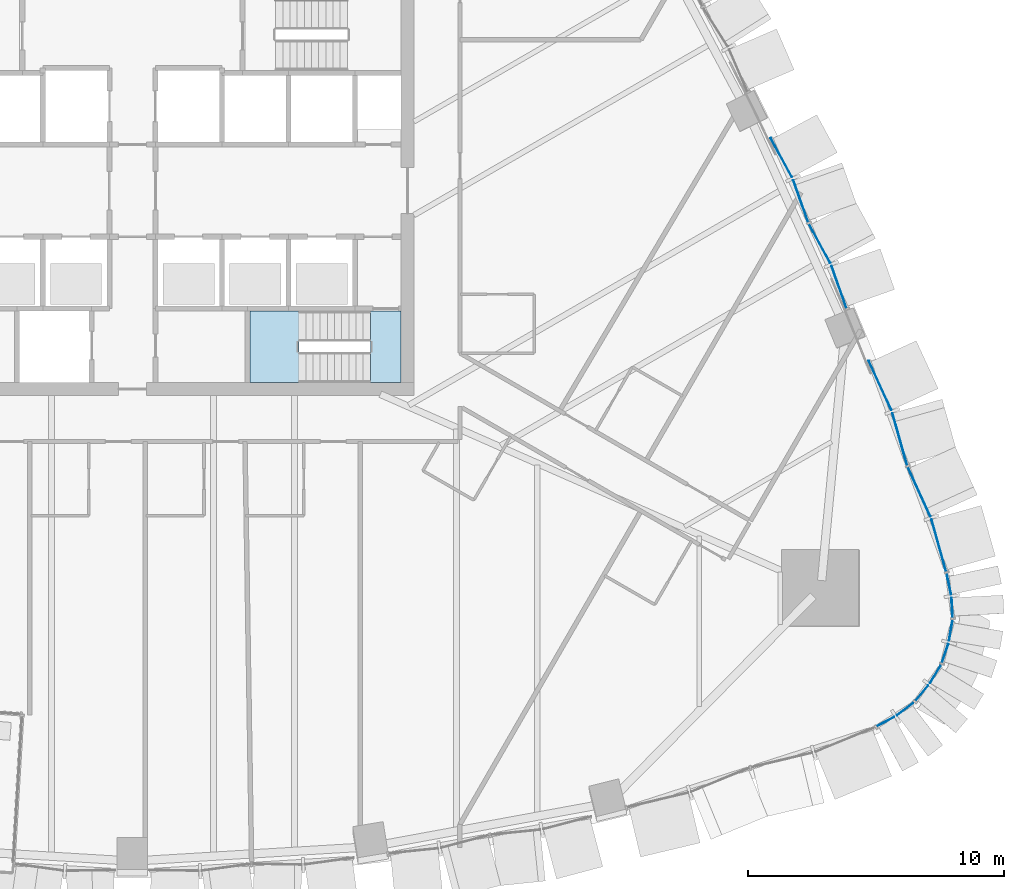
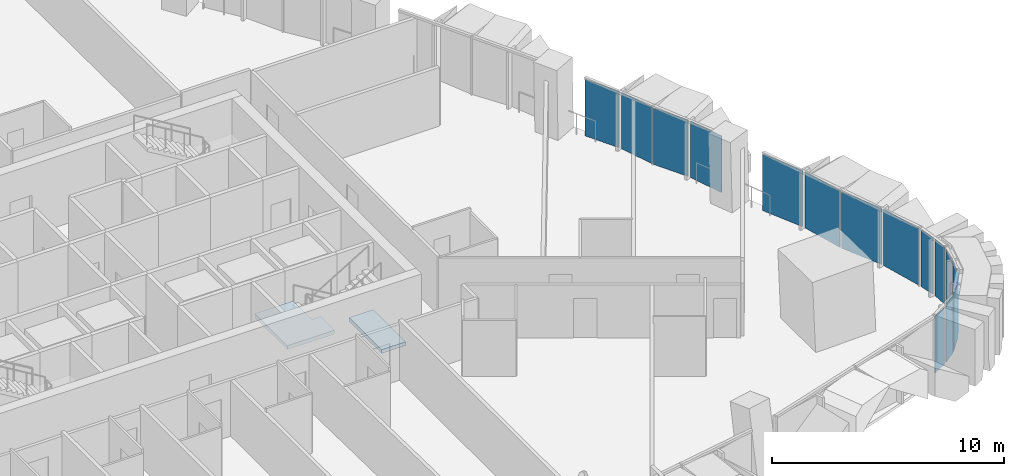
# One storey, part 11 of 24: 16 plates, 2 slabs, 7 elements without a shape of their own.
"""IFC4 building model written with IfcOpenShell, lengths in metres."""

from ifc_helpers import new_model, si_unit, direction, frame, origin, place, context, subcontext, project, spatial, polyline, outline, extrude, material, layer, layer_set, type_object, element, aggregate, save


model = new_model("IFC4")

# Units and contexts
model_context = context("Model", 3, precision=1e-05, world=origin(), true_north=direction((0.0, 1.0)))
body_context = subcontext(model_context, "Body", "Model", "MODEL_VIEW")
ifc_project = project(units=[si_unit("LENGTHUNIT", "METRE"), si_unit("AREAUNIT", "SQUARE_METRE"), si_unit("VOLUMEUNIT", "CUBIC_METRE"), si_unit("PLANEANGLEUNIT", "RADIAN"), si_unit("MASSUNIT", "GRAM", prefix="KILO")], contexts=[model_context])

# Site, building, storey
site_placement = place(None, origin())
site = spatial("IfcSite", under=ifc_project, at=site_placement, CompositionType="ELEMENT")
building_placement = place(site_placement, origin())
building = spatial("IfcBuilding", under=site, at=building_placement, Name="Sierra Prisma Convention Tower", CompositionType="ELEMENT")
storey_placement = place(building_placement, frame((0.0, 0.0, 59.10009765625)))
storey = spatial("IfcBuildingStorey", under=building, at=storey_placement, Name="L10", CompositionType="ELEMENT", Elevation=59.10009765625)

# Curtain wall, plates
ifc_material_1 = material(Name="Aluminium and glass curtain wall", Category="aluminium")
ifc_layer_1 = layer(ifc_material_1, 0.179931640625)
ifc_layer_set_1 = layer_set([ifc_layer_1], Name="CW-2 Faceted crystal curtain wall")
curtain_wall_type = type_object("IfcCurtainWallType", Name="CW-2 Faceted crystal curtain wall", PredefinedType="NOTDEFINED", material=ifc_layer_set_1)
curtain_wall_1_placement = place(storey_placement, origin())
curtain_wall_1 = element("IfcCurtainWall", 1, at=curtain_wall_1_placement, inside=storey, type_object=curtain_wall_type, Name="CW-2 SE1 L10", PredefinedType="NOTDEFINED")
ifc_material_2 = material(Name="Tinted glass bronze-grey IGU", Category="glass")
ifc_layer_2 = layer(ifc_material_2, 0.028076171875)
ifc_layer_set_2 = layer_set([ifc_layer_2], Name="CW-2 crystal pane")
plate_type = type_object("IfcPlateType", Name="CW-2 crystal pane", PredefinedType="CURTAIN_PANEL", material=ifc_layer_set_2)
plate_1_placement = place(storey_placement, frame((29.0869140625, -20.9443359375, 0.0), z_axis=(0.472247517857, -0.881465984527, 0.0), x_axis=(0.881465984527, 0.472247517857, 0.0)))
plate_1 = element("IfcPlate", 2, at=plate_1_placement, type_object=plate_type, Name="CW-2 pane SE1.1.1", PredefinedType="CURTAIN_PANEL", context=body_context, shape_type="SweptSolid", body=[
    extrude(outline(polyline([(0.0, 0.0), (0.7785658311517674, 0.0), (0.7785658311517674, 2.97998046875), (0.0, 2.97998046875), (0.0, 0.0)])), origin(), (0.0, 0.0, -1.0), 0.028076171875),
])
plate_2_placement = place(storey_placement, frame((30.502685546875, -20.0361328125, 0.0), z_axis=(0.604256074047, -0.796790183785, 0.0), x_axis=(-0.796790183785, -0.604256074047, 0.0)))
plate_2 = element("IfcPlate", 3, at=plate_2_placement, type_object=plate_type, Name="CW-2 pane SE1.1.2", PredefinedType="CURTAIN_PANEL", context=body_context, shape_type="SweptSolid", body=[
    extrude(outline(polyline([(0.0, 0.0), (0.7785755155488583, 0.0), (0.7785755155488583, -2.97998046875), (0.0, -2.97998046875), (0.0, 0.0)])), origin(), (0.0, 0.0, -1.0), 0.028076171875),
])
aggregate(curtain_wall_1, [plate_1, plate_2])

curtain_wall_2_placement = place(storey_placement, origin())
curtain_wall_2 = element("IfcCurtainWall", 4, at=curtain_wall_2_placement, inside=storey, type_object=curtain_wall_type, Name="CW-2 SE2 L10", PredefinedType="NOTDEFINED")
plate_3_placement = place(storey_placement, frame((30.6025390625, -19.94140625, 0.0), z_axis=(0.763600352148, -0.645689168408, 0.0), x_axis=(0.645689168408, 0.763600352148, 0.0)))
plate_3 = element("IfcPlate", 5, at=plate_3_placement, type_object=plate_type, Name="CW-2 pane SE2.1.1", PredefinedType="CURTAIN_PANEL", context=body_context, shape_type="SweptSolid", body=[
    extrude(outline(polyline([(0.0, 0.0), (0.7785255994219993, 0.0), (0.7785255994219993, 2.9799804687499996), (0.0, 2.9799804687499996), (0.0, 0.0)])), origin(), (0.0, 0.0, -1.0), 0.028076171875),
])
plate_4_placement = place(storey_placement, frame((31.584716796875, -18.575927734375, 0.0), z_axis=(0.855020902792, -0.5185935362, 0.0), x_axis=(-0.5185935362, -0.855020902792, 0.0)))
plate_4 = element("IfcPlate", 6, at=plate_4_placement, type_object=plate_type, Name="CW-2 pane SE2.1.2", PredefinedType="CURTAIN_PANEL", context=body_context, shape_type="SweptSolid", body=[
    extrude(outline(polyline([(0.0, 0.0), (0.7786610622043737, 0.0), (0.7786610622043737, -2.97998046875), (0.0, -2.97998046875), (0.0, 0.0)])), origin(), (0.0, 0.0, -1.0), 0.028076171875),
])
aggregate(curtain_wall_2, [plate_3, plate_4])

curtain_wall_3_placement = place(storey_placement, origin())
curtain_wall_3 = element("IfcCurtainWall", 7, at=curtain_wall_3_placement, inside=storey, type_object=curtain_wall_type, Name="CW-2 SE3 L10", PredefinedType="NOTDEFINED")
plate_5_placement = place(storey_placement, frame((31.642578125, -18.451171875, 0.0), z_axis=(0.947485154089, -0.319799754193, 0.0), x_axis=(0.319799754193, 0.947485154089, 0.0)))
plate_5 = element("IfcPlate", 8, at=plate_5_placement, type_object=plate_type, Name="CW-2 pane SE3.1.1", PredefinedType="CURTAIN_PANEL", context=body_context, shape_type="SweptSolid", body=[
    extrude(outline(polyline([(0.0, 0.0), (0.7786855187822969, 0.0), (0.7786855187822969, 2.97998046875), (0.0, 2.97998046875), (0.0, 0.0)])), origin(), (0.0, 0.0, -1.0), 0.028076171875),
])
plate_6_placement = place(storey_placement, frame((32.053466796875, -16.820068359375, 0.0), z_axis=(0.985880704845, -0.167449203685, 0.0), x_axis=(-0.167449203685, -0.985880704845, 0.0)))
plate_6 = element("IfcPlate", 9, at=plate_6_placement, type_object=plate_type, Name="CW-2 pane SE3.1.2", PredefinedType="CURTAIN_PANEL", context=body_context, shape_type="SweptSolid", body=[
    extrude(outline(polyline([(0.0, 0.0), (0.7785709987304221, 0.0), (0.7785709987304221, -2.9799804687499996), (0.0, -2.9799804687499996), (0.0, 0.0)])), origin(), (0.0, 0.0, -1.0), 0.028076171875),
])
aggregate(curtain_wall_3, [plate_5, plate_6])

curtain_wall_4_placement = place(storey_placement, origin())
curtain_wall_4 = element("IfcCurtainWall", 10, at=curtain_wall_4_placement, inside=storey, type_object=curtain_wall_type, Name="CW-2 SE4 L10", PredefinedType="NOTDEFINED")
plate_7_placement = place(storey_placement, frame((32.0615234375, -16.682861328125, 0.0), z_axis=(0.99867777872, 0.051407142407, 0.0), x_axis=(-0.051407142407, 0.99867777872, 0.0)))
plate_7 = element("IfcPlate", 11, at=plate_7_placement, type_object=plate_type, Name="CW-2 pane SE4.1.1", PredefinedType="CURTAIN_PANEL", context=body_context, shape_type="SweptSolid", body=[
    extrude(outline(polyline([(0.0, 0.0), (0.7788618589739646, 0.0), (0.7788618589739646, 2.97998046875), (0.0, 2.97998046875), (0.0, 0.0)])), origin(), (0.0, 0.0, -1.0), 0.028076171875),
])
plate_8_placement = place(storey_placement, frame((31.843505859375, -15.014892578125, 0.0), z_axis=(0.978349703119, 0.206958591044, 0.0), x_axis=(0.206958591044, -0.978349703119, 0.0)))
plate_8 = element("IfcPlate", 12, at=plate_8_placement, type_object=plate_type, Name="CW-2 pane SE4.1.2", PredefinedType="CURTAIN_PANEL", context=body_context, shape_type="SweptSolid", body=[
    extrude(outline(polyline([(0.0, 0.0), (0.7785751327686511, 0.0), (0.7785751327686511, -2.97998046875), (0.0, -2.97998046875), (0.0, 0.0)])), origin(), (0.0, 0.0, -1.0), 0.028076171875),
])
aggregate(curtain_wall_4, [plate_7, plate_8])

curtain_wall_5_placement = place(storey_placement, origin())
curtain_wall_5 = element("IfcCurtainWall", 13, at=curtain_wall_5_placement, inside=storey, type_object=curtain_wall_type, Name="CW-2 NE1 L10", PredefinedType="NOTDEFINED")
plate_9_placement = place(storey_placement, frame((31.810302734375, -14.879638671875, 0.0), z_axis=(0.962809433893, 0.270181409439, 0.0), x_axis=(-0.270181409439, 0.962809433893, 0.0)))
plate_9 = element("IfcPlate", 14, at=plate_9_placement, type_object=plate_type, Name="CW-2 pane NE1.1.1", PredefinedType="CURTAIN_PANEL", context=body_context, shape_type="SweptSolid", body=[
    extrude(outline(polyline([(0.0, 0.0), (2.11807920533059, 0.0), (2.11807920533059, 2.97998046875), (0.0, 2.97998046875), (0.0, 0.0)])), origin(), (0.0, 0.0, -1.0), 0.028076171875),
])
plate_10_placement = place(storey_placement, frame((30.309326171875, -10.7939453125, 0.0), z_axis=(0.908737107967, 0.417368983758, 0.0), x_axis=(0.417368983758, -0.908737107967, 0.0)))
plate_10 = element("IfcPlate", 15, at=plate_10_placement, type_object=plate_type, Name="CW-2 pane NE1.1.2", PredefinedType="CURTAIN_PANEL", context=body_context, shape_type="SweptSolid", body=[
    extrude(outline(polyline([(0.0, 0.0), (2.118109484717308, 0.0), (2.118109484717308, -2.97998046875), (0.0, -2.97998046875), (0.0, 0.0)])), origin(), (0.0, 0.0, -1.0), 0.028076171875),
])
plate_11_placement = place(storey_placement, frame((30.28515625, -10.728271484375, 0.0), z_axis=(0.962817846614, 0.270151428353, 0.0), x_axis=(-0.270151428353, 0.962817846614, 0.0)))
plate_11 = element("IfcPlate", 16, at=plate_11_placement, type_object=plate_type, Name="CW-2 pane NE1.2.1", PredefinedType="CURTAIN_PANEL", context=body_context, shape_type="SweptSolid", body=[
    extrude(outline(polyline([(0.0, 0.0), (2.118314267254537, 0.0), (2.118314267254537, 2.97998046875), (0.0, 2.97998046875), (0.0, 0.0)])), origin(), (0.0, 0.0, -1.0), 0.028076171875),
])
plate_12_placement = place(storey_placement, frame((28.7841796875, -6.642333984375, 0.0), z_axis=(0.908737107967, 0.417368983758, 0.0), x_axis=(0.417368983758, -0.908737107967, 0.0)))
plate_12 = element("IfcPlate", 17, at=plate_12_placement, type_object=plate_type, Name="CW-2 pane NE1.2.2", PredefinedType="CURTAIN_PANEL", context=body_context, shape_type="SweptSolid", body=[
    extrude(outline(polyline([(0.0, 0.0), (2.118109484717308, 0.0), (2.118109484717308, -2.97998046875), (0.0, -2.97998046875), (0.0, 0.0)])), origin(), (0.0, 0.0, -1.0), 0.028076171875),
])
aggregate(curtain_wall_5, [plate_9, plate_10, plate_11, plate_12])

curtain_wall_6_placement = place(storey_placement, origin())
curtain_wall_6 = element("IfcCurtainWall", 18, at=curtain_wall_6_placement, inside=storey, type_object=curtain_wall_type, Name="CW-2 NE2 L10", PredefinedType="NOTDEFINED")
plate_13_placement = place(storey_placement, frame((27.91650390625, -4.5849609375, 0.0), z_axis=(0.942534466241, 0.334108934252, 0.0), x_axis=(-0.334108934252, 0.942534466241, 0.0)))
plate_13 = element("IfcPlate", 19, at=plate_13_placement, type_object=plate_type, Name="CW-2 pane NE2.1.1", PredefinedType="CURTAIN_PANEL", context=body_context, shape_type="SweptSolid", body=[
    extrude(outline(polyline([(0.0, 0.0), (1.7435018089346312, 0.0), (1.7435018089346312, 2.97998046875), (0.0, 2.97998046875), (0.0, 0.0)])), origin(), (0.0, 0.0, -1.0), 0.028076171875),
])
plate_14_placement = place(storey_placement, frame((26.44873046875, -1.291259765625, 0.0), z_axis=(0.878643665591, 0.47747807166, 0.0), x_axis=(0.47747807166, -0.878643665591, 0.0)))
plate_14 = element("IfcPlate", 20, at=plate_14_placement, type_object=plate_type, Name="CW-2 pane NE2.1.2", PredefinedType="CURTAIN_PANEL", context=body_context, shape_type="SweptSolid", body=[
    extrude(outline(polyline([(0.0, 0.0), (1.7435764711783395, 0.0), (1.7435764711783395, -2.97998046875), (0.0, -2.97998046875), (0.0, 0.0)])), origin(), (0.0, 0.0, -1.0), 0.028076171875),
])
plate_15_placement = place(storey_placement, frame((26.420166015625, -1.227294921875, 0.0), z_axis=(0.942534466241, 0.334108934252, 0.0), x_axis=(-0.334108934252, 0.942534466241, 0.0)))
plate_15 = element("IfcPlate", 21, at=plate_15_placement, type_object=plate_type, Name="CW-2 pane NE2.2.1", PredefinedType="CURTAIN_PANEL", context=body_context, shape_type="SweptSolid", body=[
    extrude(outline(polyline([(0.0, 0.0), (1.7435018089346312, 0.0), (1.7435018089346312, 2.97998046875), (0.0, 2.97998046875), (0.0, 0.0)])), origin(), (0.0, 0.0, -1.0), 0.028076171875),
])
plate_16_placement = place(storey_placement, frame((24.952392578125, 2.06640625, 0.0), z_axis=(0.878643665591, 0.47747807166, 0.0), x_axis=(0.47747807166, -0.878643665591, 0.0)))
plate_16 = element("IfcPlate", 22, at=plate_16_placement, type_object=plate_type, Name="CW-2 pane NE2.2.2", PredefinedType="CURTAIN_PANEL", context=body_context, shape_type="SweptSolid", body=[
    extrude(outline(polyline([(0.0, 0.0), (1.7435764711783395, 0.0), (1.7435764711783395, -2.97998046875), (0.0, -2.97998046875), (0.0, 0.0)])), origin(), (0.0, 0.0, -1.0), 0.028076171875),
])
aggregate(curtain_wall_6, [plate_13, plate_14, plate_15, plate_16])

# Stair, slab
ifc_material_3 = material(Name="Concrete C30/37", Category="concrete")
stair_type = type_object("IfcStairType", Name="Stair dog-leg 1200 RC", PredefinedType="HALF_TURN_STAIR", material=ifc_material_3)
stair_placement = place(storey_placement, origin())
stair = element("IfcStair", 23, at=stair_placement, inside=storey, type_object=stair_type, Name="L10 S2", PredefinedType="HALF_TURN_STAIR")
ifc_material_4 = material(Name="Concrete C35/45", Category="concrete")
ifc_layer_3 = layer(ifc_material_4, 0.199951171875)
ifc_layer_set_3 = layer_set([ifc_layer_3], Name="Stair landing slab")
slab_type = type_object("IfcSlabType", Name="Stair landing slab", PredefinedType="LANDING", material=ifc_layer_set_3)
slab_1_placement = place(storey_placement, frame((0.0, 0.0, 1.64990234375)))
slab_1 = element("IfcSlab", 24, at=slab_1_placement, type_object=slab_type, Name="S2 landing 1", PredefinedType="LANDING", context=body_context, shape_type="SweptSolid", body=[
    extrude(outline(polyline([(6.949951171875, -6.300048828125), (6.949951171875, -7.5), (4.60009765625, -7.5), (4.60009765625, -4.699951171875), (6.501953125, -4.699951171875), (6.501953125, -6.300048828125), (6.949951171875, -6.300048828125)])), origin(), (0.0, 0.0, 1.0), 0.199951171875),
])
aggregate(stair, [slab_1])

# Slab
slab_2_placement = place(storey_placement, frame((0.0, 0.0, -0.2001953125)))
element("IfcSlab", 25, at=slab_2_placement, inside=storey, type_object=slab_type, Name="S2 floor landing L10", PredefinedType="LANDING", context=body_context, shape_type="SweptSolid", body=[
    extrude(outline(polyline([(10.5, -4.699951171875), (9.298095703125, -4.699951171875), (9.298095703125, -7.5), (10.5, -7.5), (10.5, -4.699951171875)])), origin(), (0.0, 0.0, 1.0), 0.2001953125),
])

save(model, "model.ifc")
